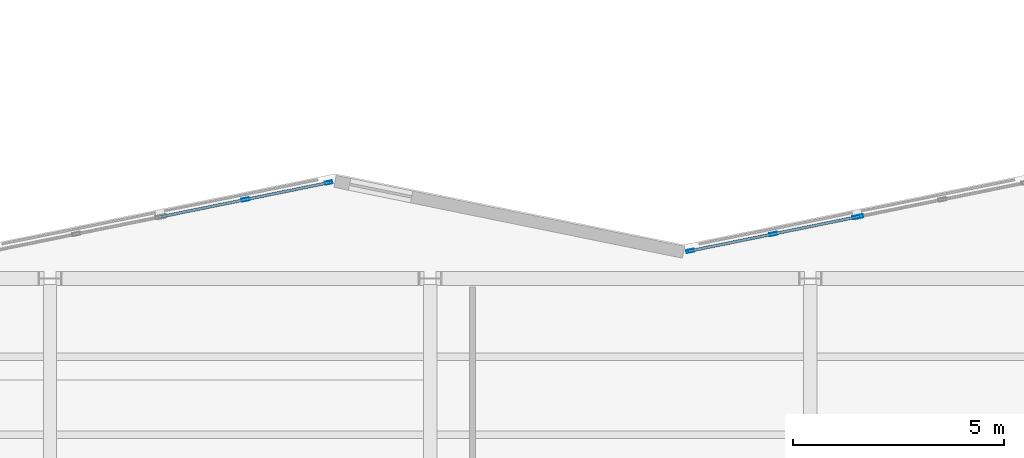
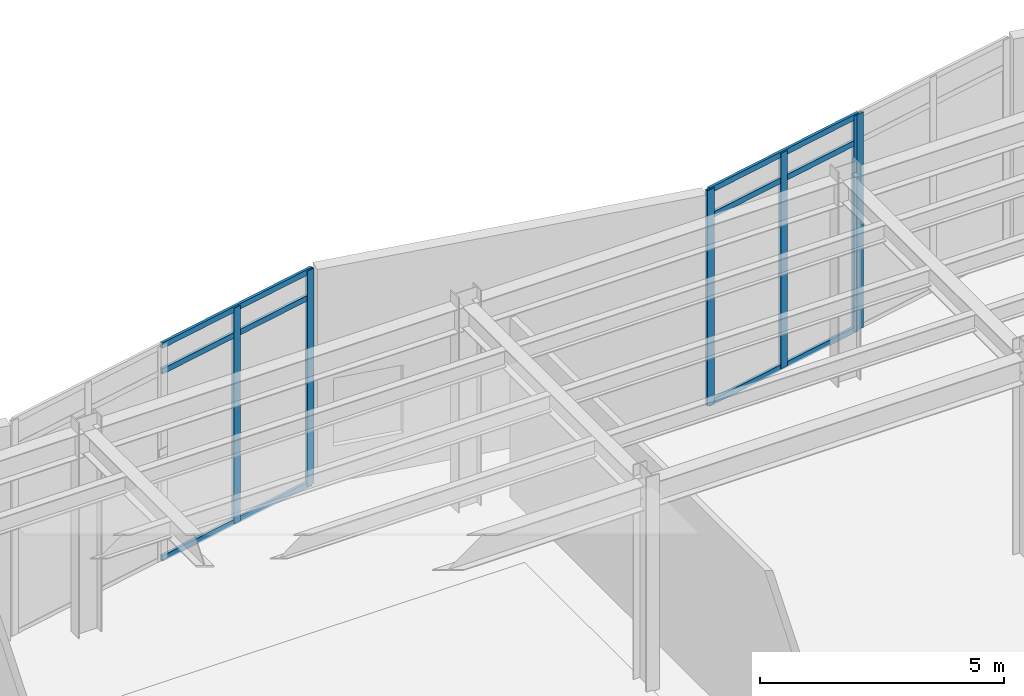
# One storey, part 62 of 98: 12 members, 3 elements without a shape of their own.
"""IFC4 building model written with IfcOpenShell, lengths in metres."""

from ifc_helpers import new_model, si_unit, direction, frame, origin, origin_2d, place, context, subcontext, project, spatial, hollow_rectangle, extrude, material, layer, layer_set, material_profile, profile_set, type_object, element, aggregate, save


model = new_model("IFC4")

# Units and contexts
model_context = context("Model", 3, precision=1e-05, world=origin(), true_north=direction((0.0, 1.0)))
body_context = subcontext(model_context, "Body", "Model", "MODEL_VIEW")
ifc_project = project(units=[si_unit("LENGTHUNIT", "METRE"), si_unit("AREAUNIT", "SQUARE_METRE"), si_unit("VOLUMEUNIT", "CUBIC_METRE"), si_unit("PLANEANGLEUNIT", "RADIAN"), si_unit("MASSUNIT", "GRAM", prefix="KILO")], contexts=[model_context])

# Site, building, storey
site_placement = place(None, origin())
site = spatial("IfcSite", under=ifc_project, at=site_placement, CompositionType="ELEMENT")
building_placement = place(site_placement, origin())
building = spatial("IfcBuilding", under=site, at=building_placement, Name="Sollismere Congress Hotel", CompositionType="ELEMENT")
storey_placement = place(building_placement, frame((0.0, 0.0, 5.39990234375)))
storey = spatial("IfcBuildingStorey", under=building, at=storey_placement, Name="L01", CompositionType="ELEMENT", Elevation=5.39990234375)

# Curtain wall, members
ifc_material_1 = material(Name="Anodized Bronze Curtain Wall & Low-E Triple Glazing", Category="glass")
ifc_layer = layer(ifc_material_1, 0.199951171875, Name="Anodized Bronze Curtain Wall & Low-E Triple Glazing")
ifc_layer_set = layer_set([ifc_layer], Name="Anodized Bronze Curtain Wall & Low-E Triple Glazing")
curtain_wall_type = type_object("IfcCurtainWallType", Name="CW-GLZ36", PredefinedType="USERDEFINED", material=ifc_layer_set)
curtain_wall_1_placement = place(storey_placement, origin())
curtain_wall_1 = element("IfcCurtainWall", 1, at=curtain_wall_1_placement, inside=storey, type_object=curtain_wall_type, Name="Unitised curtain wall CW-L01-084", ObjectType="UNITISED CURTAIN WALL", PredefinedType="USERDEFINED")
ifc_material_2 = material(Name="Anodized Aluminum 6063-T6", Category="aluminium")
ifc_material_profile_1 = material_profile(ifc_material_2, hollow_rectangle(XDim=0.074951171875, YDim=0.179931640625, WallThickness=0.0048828125, at=origin_2d()), Name="ALU180X75X5")
ifc_profile_set_1 = profile_set([ifc_material_profile_1], Name="Anodized Aluminum 6063-T6")
member_type_1 = type_object("IfcMemberType", Name="ML-CW180", PredefinedType="MULLION", material=ifc_profile_set_1)
member_1_placement = place(storey_placement, frame((80.628662109375, 104.266845703125, 0.0), z_axis=(0.0, 0.0, 1.0), x_axis=(-0.199367934417, 0.979924704621, 0.0)))
member_1 = element("IfcMember", 2, at=member_1_placement, type_object=member_type_1, Name="CWL-CW-L01-084-ML02", PredefinedType="MULLION", context=body_context, shape_type="SweptSolid", body=[
    extrude(hollow_rectangle(XDim=0.074951171875, YDim=0.179931640625, WallThickness=0.0048828125, at=origin_2d()), origin(), (0.0, 0.0, 1.0), 5.400146484375),
])
member_2_placement = place(storey_placement, frame((82.59521484375, 104.6669921875, 0.0), z_axis=(0.0, 0.0, 1.0), x_axis=(-0.199367934417, 0.979924704621, 0.0)))
member_2 = element("IfcMember", 3, at=member_2_placement, type_object=member_type_1, Name="CWL-CW-L01-084-ML03", PredefinedType="MULLION", context=body_context, shape_type="SweptSolid", body=[
    extrude(hollow_rectangle(XDim=0.074951171875, YDim=0.179931640625, WallThickness=0.0048828125, at=origin_2d()), origin(), (0.0, 0.0, 1.0), 5.400146484375),
])

curtain_wall_2_placement = place(storey_placement, origin())
curtain_wall_2 = element("IfcCurtainWall", 4, at=curtain_wall_2_placement, inside=storey, type_object=curtain_wall_type, Name="Unitised curtain wall CW-L01-085", ObjectType="UNITISED CURTAIN WALL", PredefinedType="USERDEFINED")
member_3_placement = place(storey_placement, frame((91.15478515625, 103.051513671875, 0.0), z_axis=(0.0, 0.0, 1.0), x_axis=(-0.199367934417, 0.979924704621, 0.0)))
member_3 = element("IfcMember", 5, at=member_3_placement, type_object=member_type_1, Name="CWL-CW-L01-085-ML01", PredefinedType="MULLION", context=body_context, shape_type="SweptSolid", body=[
    extrude(hollow_rectangle(XDim=0.074951171875, YDim=0.179931640625, WallThickness=0.0048828125, at=origin_2d()), origin(), (0.0, 0.0, 1.0), 5.400146484375),
])
member_4_placement = place(storey_placement, frame((93.121337890625, 103.45166015625, 0.0), z_axis=(0.0, 0.0, 1.0), x_axis=(-0.199367934417, 0.979924704621, 0.0)))
member_4 = element("IfcMember", 6, at=member_4_placement, type_object=member_type_1, Name="CWL-CW-L01-085-ML02", PredefinedType="MULLION", context=body_context, shape_type="SweptSolid", body=[
    extrude(hollow_rectangle(XDim=0.074951171875, YDim=0.179931640625, WallThickness=0.0048828125, at=origin_2d()), origin(), (0.0, 0.0, 1.0), 5.400146484375),
])
member_5_placement = place(storey_placement, frame((95.087890625, 103.851806640625, 0.0), z_axis=(0.0, 0.0, 1.0), x_axis=(-0.199367934417, 0.979924704621, 0.0)))
member_5 = element("IfcMember", 7, at=member_5_placement, type_object=member_type_1, Name="CWL-CW-L01-085-ML03", PredefinedType="MULLION", context=body_context, shape_type="SweptSolid", body=[
    extrude(hollow_rectangle(XDim=0.074951171875, YDim=0.179931640625, WallThickness=0.0048828125, at=origin_2d()), origin(), (0.0, 0.0, 1.0), 5.400146484375),
])

# Curtain wall, member
curtain_wall_3_placement = place(storey_placement, origin())
curtain_wall_3 = element("IfcCurtainWall", 8, at=curtain_wall_3_placement, inside=storey, type_object=curtain_wall_type, Name="Unitised curtain wall CW-L01-086", ObjectType="UNITISED CURTAIN WALL", PredefinedType="USERDEFINED")
member_6_placement = place(storey_placement, frame((95.162109375, 103.86669921875, 0.0), z_axis=(0.0, 0.0, 1.0), x_axis=(-0.199367934417, 0.979924704621, 0.0)))
member_6 = element("IfcMember", 9, at=member_6_placement, type_object=member_type_1, Name="CWL-CW-L01-086-ML01", PredefinedType="MULLION", context=body_context, shape_type="SweptSolid", body=[
    extrude(hollow_rectangle(XDim=0.074951171875, YDim=0.179931640625, WallThickness=0.0048828125, at=origin_2d()), origin(), (0.0, 0.0, 1.0), 5.400146484375),
])
aggregate(curtain_wall_3, [member_6])

# Member
ifc_material_profile_2 = material_profile(ifc_material_2, hollow_rectangle(XDim=0.06494140625, YDim=0.139892578125, WallThickness=0.00390625, at=origin_2d()), Name="ALU140X65X4")
ifc_profile_set_2 = profile_set([ifc_material_profile_2], Name="Anodized Aluminum 6063-T6")
member_type_2 = type_object("IfcMemberType", Name="TR-CW150", PredefinedType="MEMBER", material=ifc_profile_set_2)
member_7_placement = place(storey_placement, frame((78.625, 103.859375, 0.03271484375), z_axis=(0.979930139944, 0.199341217087, 0.0), x_axis=(-0.199341217087, 0.979930139944, 0.0)))
member_7 = element("IfcMember", 10, at=member_7_placement, type_object=member_type_2, Name="CWL-CW-L01-084-TR1", PredefinedType="MEMBER", context=body_context, shape_type="SweptSolid", body=[
    extrude(hollow_rectangle(XDim=0.06494140625, YDim=0.139892578125, WallThickness=0.00390625, at=origin_2d()), origin(), (0.0, 0.0, 1.0), 4.08935546875),
])

member_8_placement = place(storey_placement, frame((78.625, 103.859375, 4.72021484375), z_axis=(0.979930139944, 0.199341217087, 0.0), x_axis=(-0.199341217087, 0.979930139944, 0.0)))
member_8 = element("IfcMember", 11, at=member_8_placement, type_object=member_type_2, Name="CWL-CW-L01-084-TR2", PredefinedType="MEMBER", context=body_context, shape_type="SweptSolid", body=[
    extrude(hollow_rectangle(XDim=0.06494140625, YDim=0.139892578125, WallThickness=0.00390625, at=origin_2d()), origin(), (0.0, 0.0, 1.0), 4.08935546875),
])

member_9_placement = place(storey_placement, frame((78.625, 103.859375, 5.36767578125), z_axis=(0.979930139944, 0.199341217087, 0.0), x_axis=(-0.199341217087, 0.979930139944, 0.0)))
member_9 = element("IfcMember", 12, at=member_9_placement, type_object=member_type_2, Name="CWL-CW-L01-084-TR3", PredefinedType="MEMBER", context=body_context, shape_type="SweptSolid", body=[
    extrude(hollow_rectangle(XDim=0.06494140625, YDim=0.139892578125, WallThickness=0.00390625, at=origin_2d()), origin(), (0.0, 0.0, 1.0), 4.08935546875),
])

aggregate(curtain_wall_1, [member_1, member_2, member_7, member_8, member_9])

member_10_placement = place(storey_placement, frame((91.11767578125, 103.0439453125, 0.03271484375), z_axis=(0.979918476409, 0.199398544609, 0.0), x_axis=(-0.199398544609, 0.979918476409, 0.0)))
member_10 = element("IfcMember", 13, at=member_10_placement, type_object=member_type_2, Name="CWL-CW-L01-085-TR1", PredefinedType="MEMBER", context=body_context, shape_type="SweptSolid", body=[
    extrude(hollow_rectangle(XDim=0.06494140625, YDim=0.139892578125, WallThickness=0.00390625, at=origin_2d()), origin(), (0.0, 0.0, 1.0), 4.08935546875),
])

member_11_placement = place(storey_placement, frame((91.11767578125, 103.0439453125, 4.72021484375), z_axis=(0.979918476409, 0.199398544609, 0.0), x_axis=(-0.199398544609, 0.979918476409, 0.0)))
member_11 = element("IfcMember", 14, at=member_11_placement, type_object=member_type_2, Name="CWL-CW-L01-085-TR2", PredefinedType="MEMBER", context=body_context, shape_type="SweptSolid", body=[
    extrude(hollow_rectangle(XDim=0.06494140625, YDim=0.139892578125, WallThickness=0.00390625, at=origin_2d()), origin(), (0.0, 0.0, 1.0), 4.08935546875),
])

member_12_placement = place(storey_placement, frame((91.11767578125, 103.0439453125, 5.36767578125), z_axis=(0.979918476409, 0.199398544609, 0.0), x_axis=(-0.199398544609, 0.979918476409, 0.0)))
member_12 = element("IfcMember", 15, at=member_12_placement, type_object=member_type_2, Name="CWL-CW-L01-085-TR3", PredefinedType="MEMBER", context=body_context, shape_type="SweptSolid", body=[
    extrude(hollow_rectangle(XDim=0.06494140625, YDim=0.139892578125, WallThickness=0.00390625, at=origin_2d()), origin(), (0.0, 0.0, 1.0), 4.08935546875),
])

aggregate(curtain_wall_2, [member_3, member_4, member_5, member_10, member_11, member_12])

save(model, "model.ifc")
